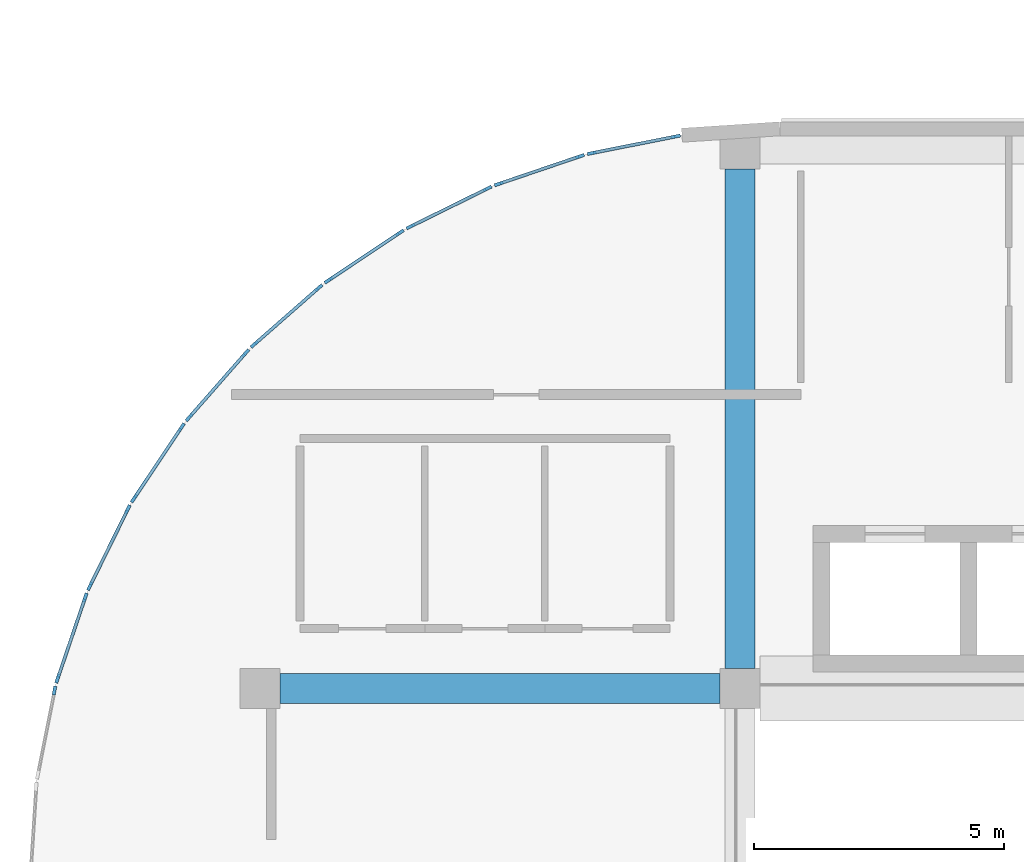
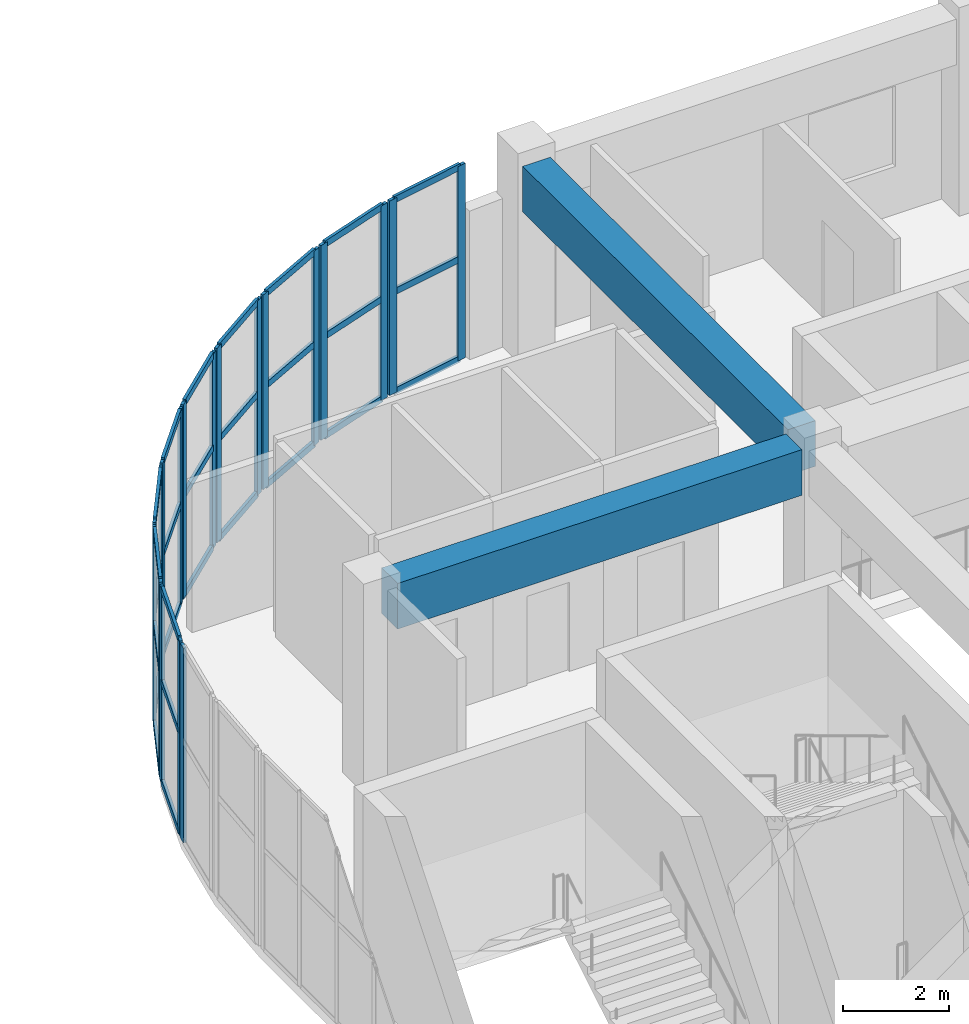
# One storey, part 9 of 33: 46 members, 2 beams, 10 elements without a shape of their own.
"""IFC4 building model written with IfcOpenShell, lengths in metres."""

from ifc_helpers import new_model, si_unit, direction, frame, origin, origin_2d, place, context, subcontext, project, spatial, rectangle, extrude, material, layer, layer_set, material_profile, profile_set, type_object, element, aggregate, save


model = new_model("IFC4")

# Units and contexts
model_context = context("Model", 3, precision=1e-05, world=origin(), true_north=direction((0.0, 1.0)))
body_context = subcontext(model_context, "Body", "Model", "MODEL_VIEW")
ifc_project = project(units=[si_unit("LENGTHUNIT", "METRE"), si_unit("AREAUNIT", "SQUARE_METRE"), si_unit("VOLUMEUNIT", "CUBIC_METRE"), si_unit("PLANEANGLEUNIT", "RADIAN"), si_unit("MASSUNIT", "GRAM", prefix="KILO")], contexts=[model_context])

# Site, building, storey
site_placement = place(None, origin())
site = spatial("IfcSite", under=ifc_project, at=site_placement, CompositionType="ELEMENT")
building_placement = place(site_placement, origin())
building = spatial("IfcBuilding", under=site, at=building_placement, Name="Cendralis Terraced Arcade", CompositionType="ELEMENT")
storey_placement = place(building_placement, frame((0.0, 0.0, 19.800048828125)))
storey = spatial("IfcBuildingStorey", under=building, at=storey_placement, Name="L04", CompositionType="ELEMENT", Elevation=19.800048828125)

# Beams
ifc_material_1 = material(Name="Concrete f'c 35 MPa", Category="concrete")
ifc_material_profile_1 = material_profile(ifc_material_1, rectangle(XDim=0.60009765625, YDim=1.050048828125, at=origin_2d()), Name="RC-BM-600x1050", Category="LoadBearing")
ifc_profile_set_1 = profile_set([ifc_material_profile_1], Name="Concrete f'c 35 MPa")
beam_type = type_object("IfcBeamType", Name="BM-600x1050", PredefinedType="JOIST", material=ifc_profile_set_1)
beam_1_placement = place(storey_placement, frame((10.0, 38.39990234375, 3.954833984375), z_axis=(1.0, 0.0, 0.0), x_axis=(0.0, 1.0, 0.0)))
element("IfcBeam", 1, at=beam_1_placement, inside=storey, type_object=beam_type, Name="Reinforced Concrete Frame Beam BM-X-L05-E-2_3", PredefinedType="JOIST", context=body_context, shape_type="SweptSolid", body=[
    extrude(rectangle(XDim=0.60009765625, YDim=1.050048828125, at=origin_2d()), origin(), (0.0, 0.0, 1.0), 8.800048828125),
])
beam_2_placement = place(storey_placement, frame((19.199951171875, 38.800048828125, 3.954833984375), z_axis=(0.0, 1.0, 0.0), x_axis=(-1.0, 0.0, 0.0)))
element("IfcBeam", 2, at=beam_2_placement, inside=storey, type_object=beam_type, Name="Reinforced Concrete Frame Beam BM-Y-L05-3-E_F", PredefinedType="JOIST", context=body_context, shape_type="SweptSolid", body=[
    extrude(rectangle(XDim=0.60009765625, YDim=1.050048828125, at=origin_2d()), origin(), (0.0, 0.0, 1.0), 10.0),
])

# Curtain wall, member
ifc_material_2 = material(Name="Anodised aluminium EN AW-6063 T6", Category="aluminium")
ifc_layer = layer(ifc_material_2, 0.179931640625, Name="CW-UNIT-A")
ifc_layer_set = layer_set([ifc_layer], Name="Anodised aluminium EN AW-6063 T6")
curtain_wall_type = type_object("IfcCurtainWallType", Name="CW-UNIT-A", PredefinedType="USERDEFINED", material=ifc_layer_set)
curtain_wall_1_placement = place(storey_placement, origin())
curtain_wall_1 = element("IfcCurtainWall", 3, at=curtain_wall_1_placement, inside=storey, type_object=curtain_wall_type, Name="Exterior Unitised Facade CW-L04-0338", ObjectType="UNITISED FACADE", PredefinedType="USERDEFINED")
ifc_material_profile_2 = material_profile(ifc_material_2, rectangle(XDim=0.06494140625, YDim=0.179931640625, at=origin_2d()), Name="ALU-MUL-65x180")
ifc_profile_set_2 = profile_set([ifc_material_profile_2], Name="Anodised aluminium EN AW-6063 T6")
member_type_1 = type_object("IfcMemberType", Name="CW-UNIT-A-MUL", PredefinedType="MULLION", material=ifc_profile_set_2)
member_1_placement = place(storey_placement, frame((5.487060546875, 38.362060546875, 0.0), z_axis=(0.0, 0.0, 1.0), x_axis=(-0.980791618721, 0.195058454434, 0.0)))
member_1 = element("IfcMember", 4, at=member_1_placement, type_object=member_type_1, Name="CW-U1 mullion 2", PredefinedType="MULLION", context=body_context, shape_type="SweptSolid", body=[
    extrude(rectangle(XDim=0.06494140625, YDim=0.179931640625, at=origin_2d()), origin(), (0.0, 0.0, 1.0), 4.47998046875),
])
aggregate(curtain_wall_1, [member_1])

# Curtain wall, members
curtain_wall_2_placement = place(storey_placement, origin())
curtain_wall_2 = element("IfcCurtainWall", 5, at=curtain_wall_2_placement, inside=storey, type_object=curtain_wall_type, Name="Exterior Unitised Facade CW-L04-0339", ObjectType="UNITISED FACADE", PredefinedType="USERDEFINED")
member_2_placement = place(storey_placement, frame((5.550537109375, 38.598388671875, 0.0), z_axis=(0.0, 0.0, 1.0), x_axis=(-0.946923811316, 0.321458077458, 0.0)))
member_2 = element("IfcMember", 6, at=member_2_placement, type_object=member_type_1, Name="CW-U1 mullion 1", PredefinedType="MULLION", context=body_context, shape_type="SweptSolid", body=[
    extrude(rectangle(XDim=0.06494140625, YDim=0.179931640625, at=origin_2d()), origin(), (0.0, 0.0, 1.0), 4.47998046875),
])
member_3_placement = place(storey_placement, frame((6.1025390625, 40.224365234375, 0.0), z_axis=(0.0, 0.0, 1.0), x_axis=(-0.946923811316, 0.321458077458, 0.0)))
member_3 = element("IfcMember", 7, at=member_3_placement, type_object=member_type_1, Name="CW-U1 mullion 2", PredefinedType="MULLION", context=body_context, shape_type="SweptSolid", body=[
    extrude(rectangle(XDim=0.06494140625, YDim=0.179931640625, at=origin_2d()), origin(), (0.0, 0.0, 1.0), 4.47998046875),
])

curtain_wall_3_placement = place(storey_placement, origin())
curtain_wall_3 = element("IfcCurtainWall", 8, at=curtain_wall_3_placement, inside=storey, type_object=curtain_wall_type, Name="Exterior Unitised Facade CW-L04-0340", ObjectType="UNITISED FACADE", PredefinedType="USERDEFINED")
member_4_placement = place(storey_placement, frame((6.196044921875, 40.4501953125, 0.0), z_axis=(0.0, 0.0, 1.0), x_axis=(-0.896871480419, 0.442291247495, 0.0)))
member_4 = element("IfcMember", 9, at=member_4_placement, type_object=member_type_1, Name="CW-U1 mullion 1", PredefinedType="MULLION", context=body_context, shape_type="SweptSolid", body=[
    extrude(rectangle(XDim=0.06494140625, YDim=0.179931640625, at=origin_2d()), origin(), (0.0, 0.0, 1.0), 4.47998046875),
])
member_5_placement = place(storey_placement, frame((6.955322265625, 41.990234375, 0.0), z_axis=(0.0, 0.0, 1.0), x_axis=(-0.896871480419, 0.442291247495, 0.0)))
member_5 = element("IfcMember", 10, at=member_5_placement, type_object=member_type_1, Name="CW-U1 mullion 2", PredefinedType="MULLION", context=body_context, shape_type="SweptSolid", body=[
    extrude(rectangle(XDim=0.06494140625, YDim=0.179931640625, at=origin_2d()), origin(), (0.0, 0.0, 1.0), 4.47998046875),
])

curtain_wall_4_placement = place(storey_placement, origin())
curtain_wall_4 = element("IfcCurtainWall", 11, at=curtain_wall_4_placement, inside=storey, type_object=curtain_wall_type, Name="Exterior Unitised Facade CW-L04-0341", ObjectType="UNITISED FACADE", PredefinedType="USERDEFINED")
member_6_placement = place(storey_placement, frame((7.07763671875, 42.201904296875, 0.0), z_axis=(0.0, 0.0, 1.0), x_axis=(-0.831471454125, 0.555567476528, 0.0)))
member_6 = element("IfcMember", 12, at=member_6_placement, type_object=member_type_1, Name="CW-U1 mullion 1", PredefinedType="MULLION", context=body_context, shape_type="SweptSolid", body=[
    extrude(rectangle(XDim=0.06494140625, YDim=0.179931640625, at=origin_2d()), origin(), (0.0, 0.0, 1.0), 4.47998046875),
])
member_7_placement = place(storey_placement, frame((8.03173828125, 43.629638671875, 0.0), z_axis=(0.0, 0.0, 1.0), x_axis=(-0.831471454125, 0.555567476528, 0.0)))
member_7 = element("IfcMember", 13, at=member_7_placement, type_object=member_type_1, Name="CW-U1 mullion 2", PredefinedType="MULLION", context=body_context, shape_type="SweptSolid", body=[
    extrude(rectangle(XDim=0.06494140625, YDim=0.179931640625, at=origin_2d()), origin(), (0.0, 0.0, 1.0), 4.47998046875),
])

curtain_wall_5_placement = place(storey_placement, origin())
curtain_wall_5 = element("IfcCurtainWall", 14, at=curtain_wall_5_placement, inside=storey, type_object=curtain_wall_type, Name="Exterior Unitised Facade CW-L04-0342", ObjectType="UNITISED FACADE", PredefinedType="USERDEFINED")
member_8_placement = place(storey_placement, frame((8.180419921875, 43.823486328125, 0.0), z_axis=(0.0, 0.0, 1.0), x_axis=(-0.751804497477, 0.659386076266, 0.0)))
member_8 = element("IfcMember", 15, at=member_8_placement, type_object=member_type_1, Name="CW-U1 mullion 1", PredefinedType="MULLION", context=body_context, shape_type="SweptSolid", body=[
    extrude(rectangle(XDim=0.06494140625, YDim=0.179931640625, at=origin_2d()), origin(), (0.0, 0.0, 1.0), 4.47998046875),
])
member_9_placement = place(storey_placement, frame((9.312744140625, 45.114501953125, 0.0), z_axis=(0.0, 0.0, 1.0), x_axis=(-0.751804497477, 0.659386076266, 0.0)))
member_9 = element("IfcMember", 16, at=member_9_placement, type_object=member_type_1, Name="CW-U1 mullion 2", PredefinedType="MULLION", context=body_context, shape_type="SweptSolid", body=[
    extrude(rectangle(XDim=0.06494140625, YDim=0.179931640625, at=origin_2d()), origin(), (0.0, 0.0, 1.0), 4.47998046875),
])

curtain_wall_6_placement = place(storey_placement, origin())
curtain_wall_6 = element("IfcCurtainWall", 17, at=curtain_wall_6_placement, inside=storey, type_object=curtain_wall_type, Name="Exterior Unitised Facade CW-L04-0343", ObjectType="UNITISED FACADE", PredefinedType="USERDEFINED")
member_10_placement = place(storey_placement, frame((9.485595703125, 45.287353515625, 0.0), z_axis=(0.0, 0.0, 1.0), x_axis=(-0.659386076266, 0.751804497477, 0.0)))
member_10 = element("IfcMember", 18, at=member_10_placement, type_object=member_type_1, Name="CW-U1 mullion 1", PredefinedType="MULLION", context=body_context, shape_type="SweptSolid", body=[
    extrude(rectangle(XDim=0.06494140625, YDim=0.179931640625, at=origin_2d()), origin(), (0.0, 0.0, 1.0), 4.47998046875),
])
member_11_placement = place(storey_placement, frame((10.7763671875, 46.419677734375, 0.0), z_axis=(0.0, 0.0, 1.0), x_axis=(-0.659386076266, 0.751804497477, 0.0)))
member_11 = element("IfcMember", 19, at=member_11_placement, type_object=member_type_1, Name="CW-U1 mullion 2", PredefinedType="MULLION", context=body_context, shape_type="SweptSolid", body=[
    extrude(rectangle(XDim=0.06494140625, YDim=0.179931640625, at=origin_2d()), origin(), (0.0, 0.0, 1.0), 4.47998046875),
])

curtain_wall_7_placement = place(storey_placement, origin())
curtain_wall_7 = element("IfcCurtainWall", 20, at=curtain_wall_7_placement, inside=storey, type_object=curtain_wall_type, Name="Exterior Unitised Facade CW-L04-0344", ObjectType="UNITISED FACADE", PredefinedType="USERDEFINED")
member_12_placement = place(storey_placement, frame((10.970458984375, 46.568359375, 0.0), z_axis=(0.0, 0.0, 1.0), x_axis=(-0.555567476528, 0.831471454125, 0.0)))
member_12 = element("IfcMember", 21, at=member_12_placement, type_object=member_type_1, Name="CW-U1 mullion 1", PredefinedType="MULLION", context=body_context, shape_type="SweptSolid", body=[
    extrude(rectangle(XDim=0.06494140625, YDim=0.179931640625, at=origin_2d()), origin(), (0.0, 0.0, 1.0), 4.47998046875),
])
member_13_placement = place(storey_placement, frame((12.398193359375, 47.5224609375, 0.0), z_axis=(0.0, 0.0, 1.0), x_axis=(-0.555567476528, 0.831471454125, 0.0)))
member_13 = element("IfcMember", 22, at=member_13_placement, type_object=member_type_1, Name="CW-U1 mullion 2", PredefinedType="MULLION", context=body_context, shape_type="SweptSolid", body=[
    extrude(rectangle(XDim=0.06494140625, YDim=0.179931640625, at=origin_2d()), origin(), (0.0, 0.0, 1.0), 4.47998046875),
])

curtain_wall_8_placement = place(storey_placement, origin())
curtain_wall_8 = element("IfcCurtainWall", 23, at=curtain_wall_8_placement, inside=storey, type_object=curtain_wall_type, Name="Exterior Unitised Facade CW-L04-0345", ObjectType="UNITISED FACADE", PredefinedType="USERDEFINED")
member_14_placement = place(storey_placement, frame((12.60986328125, 47.64453125, 0.0), z_axis=(0.0, 0.0, 1.0), x_axis=(-0.442291247495, 0.896871480419, 0.0)))
member_14 = element("IfcMember", 24, at=member_14_placement, type_object=member_type_1, Name="CW-U1 mullion 1", PredefinedType="MULLION", context=body_context, shape_type="SweptSolid", body=[
    extrude(rectangle(XDim=0.06494140625, YDim=0.179931640625, at=origin_2d()), origin(), (0.0, 0.0, 1.0), 4.47998046875),
])
member_15_placement = place(storey_placement, frame((14.14990234375, 48.404052734375, 0.0), z_axis=(0.0, 0.0, 1.0), x_axis=(-0.442291247495, 0.896871480419, 0.0)))
member_15 = element("IfcMember", 25, at=member_15_placement, type_object=member_type_1, Name="CW-U1 mullion 2", PredefinedType="MULLION", context=body_context, shape_type="SweptSolid", body=[
    extrude(rectangle(XDim=0.06494140625, YDim=0.179931640625, at=origin_2d()), origin(), (0.0, 0.0, 1.0), 4.47998046875),
])

curtain_wall_9_placement = place(storey_placement, origin())
curtain_wall_9 = element("IfcCurtainWall", 26, at=curtain_wall_9_placement, inside=storey, type_object=curtain_wall_type, Name="Exterior Unitised Facade CW-L04-0346", ObjectType="UNITISED FACADE", PredefinedType="USERDEFINED")
member_16_placement = place(storey_placement, frame((14.375732421875, 48.49755859375, 0.0), z_axis=(0.0, 0.0, 1.0), x_axis=(-0.321458077458, 0.946923811316, 0.0)))
member_16 = element("IfcMember", 27, at=member_16_placement, type_object=member_type_1, Name="CW-U1 mullion 1", PredefinedType="MULLION", context=body_context, shape_type="SweptSolid", body=[
    extrude(rectangle(XDim=0.06494140625, YDim=0.179931640625, at=origin_2d()), origin(), (0.0, 0.0, 1.0), 4.47998046875),
])
member_17_placement = place(storey_placement, frame((16.001708984375, 49.049560546875, 0.0), z_axis=(0.0, 0.0, 1.0), x_axis=(-0.321458077458, 0.946923811316, 0.0)))
member_17 = element("IfcMember", 28, at=member_17_placement, type_object=member_type_1, Name="CW-U1 mullion 2", PredefinedType="MULLION", context=body_context, shape_type="SweptSolid", body=[
    extrude(rectangle(XDim=0.06494140625, YDim=0.179931640625, at=origin_2d()), origin(), (0.0, 0.0, 1.0), 4.47998046875),
])

curtain_wall_10_placement = place(storey_placement, origin())
curtain_wall_10 = element("IfcCurtainWall", 29, at=curtain_wall_10_placement, inside=storey, type_object=curtain_wall_type, Name="Exterior Unitised Facade CW-L04-0347", ObjectType="UNITISED FACADE", PredefinedType="USERDEFINED")
member_18_placement = place(storey_placement, frame((16.23779296875, 49.11279296875, 0.0), z_axis=(0.0, 0.0, 1.0), x_axis=(-0.195058454434, 0.980791618721, 0.0)))
member_18 = element("IfcMember", 30, at=member_18_placement, type_object=member_type_1, Name="CW-U1 mullion 1", PredefinedType="MULLION", context=body_context, shape_type="SweptSolid", body=[
    extrude(rectangle(XDim=0.06494140625, YDim=0.179931640625, at=origin_2d()), origin(), (0.0, 0.0, 1.0), 4.47998046875),
])
member_19_placement = place(storey_placement, frame((17.921875, 49.44775390625, 0.0), z_axis=(0.0, 0.0, 1.0), x_axis=(-0.195058454434, 0.980791618721, 0.0)))
member_19 = element("IfcMember", 31, at=member_19_placement, type_object=member_type_1, Name="CW-U1 mullion 2", PredefinedType="MULLION", context=body_context, shape_type="SweptSolid", body=[
    extrude(rectangle(XDim=0.06494140625, YDim=0.179931640625, at=origin_2d()), origin(), (0.0, 0.0, 1.0), 4.47998046875),
])

# Member
ifc_material_profile_3 = material_profile(ifc_material_2, rectangle(XDim=0.06494140625, YDim=0.14990234375, at=origin_2d()), Name="ALU-TRN-65x150")
ifc_profile_set_3 = profile_set([ifc_material_profile_3], Name="Anodised aluminium EN AW-6063 T6")
member_type_2 = type_object("IfcMemberType", Name="CW-UNIT-A-TRN", PredefinedType="USERDEFINED", material=ifc_profile_set_3)
member_20_placement = place(storey_placement, frame((5.560791015625, 38.629150390625, 0.032470703125), z_axis=(0.321542430228, 0.94689517137, 0.0), x_axis=(-0.94689517137, 0.321542430228, 0.0)))
member_20 = element("IfcMember", 32, at=member_20_placement, type_object=member_type_2, Name="CW-U1 transom 1.1", ObjectType="TRANSOM", PredefinedType="USERDEFINED", context=body_context, shape_type="SweptSolid", body=[
    extrude(rectangle(XDim=0.06494140625, YDim=0.14990234375, at=origin_2d()), origin(), (0.0, 0.0, 1.0), 1.652099609375),
])

member_21_placement = place(storey_placement, frame((5.560791015625, 38.629150390625, 2.32958984375), z_axis=(0.321542430228, 0.94689517137, 0.0), x_axis=(-0.94689517137, 0.321542430228, 0.0)))
member_21 = element("IfcMember", 33, at=member_21_placement, type_object=member_type_2, Name="CW-U1 transom 1.2", ObjectType="TRANSOM", PredefinedType="USERDEFINED", context=body_context, shape_type="SweptSolid", body=[
    extrude(rectangle(XDim=0.06494140625, YDim=0.14990234375, at=origin_2d()), origin(), (0.0, 0.0, 1.0), 1.652099609375),
])

member_22_placement = place(storey_placement, frame((5.560791015625, 38.629150390625, 4.447509765625), z_axis=(0.321542430228, 0.94689517137, 0.0), x_axis=(-0.94689517137, 0.321542430228, 0.0)))
member_22 = element("IfcMember", 34, at=member_22_placement, type_object=member_type_2, Name="CW-U1 transom 1.3", ObjectType="TRANSOM", PredefinedType="USERDEFINED", context=body_context, shape_type="SweptSolid", body=[
    extrude(rectangle(XDim=0.06494140625, YDim=0.14990234375, at=origin_2d()), origin(), (0.0, 0.0, 1.0), 1.652099609375),
])

aggregate(curtain_wall_2, [member_2, member_3, member_20, member_21, member_22])

member_23_placement = place(storey_placement, frame((6.21044921875, 40.479248046875, 0.032470703125), z_axis=(0.442300625853, 0.896866855431, 0.0), x_axis=(-0.896866855431, 0.442300625853, 0.0)))
member_23 = element("IfcMember", 35, at=member_23_placement, type_object=member_type_2, Name="CW-U1 transom 1.1", ObjectType="TRANSOM", PredefinedType="USERDEFINED", context=body_context, shape_type="SweptSolid", body=[
    extrude(rectangle(XDim=0.06494140625, YDim=0.14990234375, at=origin_2d()), origin(), (0.0, 0.0, 1.0), 1.652099609375),
])

member_24_placement = place(storey_placement, frame((6.21044921875, 40.479248046875, 2.32958984375), z_axis=(0.442300625853, 0.896866855431, 0.0), x_axis=(-0.896866855431, 0.442300625853, 0.0)))
member_24 = element("IfcMember", 36, at=member_24_placement, type_object=member_type_2, Name="CW-U1 transom 1.2", ObjectType="TRANSOM", PredefinedType="USERDEFINED", context=body_context, shape_type="SweptSolid", body=[
    extrude(rectangle(XDim=0.06494140625, YDim=0.14990234375, at=origin_2d()), origin(), (0.0, 0.0, 1.0), 1.652099609375),
])

member_25_placement = place(storey_placement, frame((6.21044921875, 40.479248046875, 4.447509765625), z_axis=(0.442300625853, 0.896866855431, 0.0), x_axis=(-0.896866855431, 0.442300625853, 0.0)))
member_25 = element("IfcMember", 37, at=member_25_placement, type_object=member_type_2, Name="CW-U1 transom 1.3", ObjectType="TRANSOM", PredefinedType="USERDEFINED", context=body_context, shape_type="SweptSolid", body=[
    extrude(rectangle(XDim=0.06494140625, YDim=0.14990234375, at=origin_2d()), origin(), (0.0, 0.0, 1.0), 1.652099609375),
])

aggregate(curtain_wall_3, [member_4, member_5, member_23, member_24, member_25])

member_26_placement = place(storey_placement, frame((7.095703125, 42.228759765625, 0.032470703125), z_axis=(0.555586455466, 0.831458772582, 0.0), x_axis=(-0.831458772582, 0.555586455466, 0.0)))
member_26 = element("IfcMember", 38, at=member_26_placement, type_object=member_type_2, Name="CW-U1 transom 1.1", ObjectType="TRANSOM", PredefinedType="USERDEFINED", context=body_context, shape_type="SweptSolid", body=[
    extrude(rectangle(XDim=0.06494140625, YDim=0.14990234375, at=origin_2d()), origin(), (0.0, 0.0, 1.0), 1.65234375),
])

member_27_placement = place(storey_placement, frame((7.095703125, 42.228759765625, 2.32958984375), z_axis=(0.555586455466, 0.831458772582, 0.0), x_axis=(-0.831458772582, 0.555586455466, 0.0)))
member_27 = element("IfcMember", 39, at=member_27_placement, type_object=member_type_2, Name="CW-U1 transom 1.2", ObjectType="TRANSOM", PredefinedType="USERDEFINED", context=body_context, shape_type="SweptSolid", body=[
    extrude(rectangle(XDim=0.06494140625, YDim=0.14990234375, at=origin_2d()), origin(), (0.0, 0.0, 1.0), 1.65234375),
])

member_28_placement = place(storey_placement, frame((7.095703125, 42.228759765625, 4.447509765625), z_axis=(0.555586455466, 0.831458772582, 0.0), x_axis=(-0.831458772582, 0.555586455466, 0.0)))
member_28 = element("IfcMember", 40, at=member_28_placement, type_object=member_type_2, Name="CW-U1 transom 1.3", ObjectType="TRANSOM", PredefinedType="USERDEFINED", context=body_context, shape_type="SweptSolid", body=[
    extrude(rectangle(XDim=0.06494140625, YDim=0.14990234375, at=origin_2d()), origin(), (0.0, 0.0, 1.0), 1.65234375),
])

aggregate(curtain_wall_4, [member_6, member_7, member_26, member_27, member_28])

member_29_placement = place(storey_placement, frame((8.201904296875, 43.847900390625, 0.032470703125), z_axis=(0.659341117172, 0.751843927425, 0.0), x_axis=(-0.751843927425, 0.659341117172, 0.0)))
member_29 = element("IfcMember", 41, at=member_29_placement, type_object=member_type_2, Name="CW-U1 transom 1.1", ObjectType="TRANSOM", PredefinedType="USERDEFINED", context=body_context, shape_type="SweptSolid", body=[
    extrude(rectangle(XDim=0.06494140625, YDim=0.14990234375, at=origin_2d()), origin(), (0.0, 0.0, 1.0), 1.652099609375),
])

member_30_placement = place(storey_placement, frame((8.201904296875, 43.847900390625, 2.32958984375), z_axis=(0.659341117172, 0.751843927425, 0.0), x_axis=(-0.751843927425, 0.659341117172, 0.0)))
member_30 = element("IfcMember", 42, at=member_30_placement, type_object=member_type_2, Name="CW-U1 transom 1.2", ObjectType="TRANSOM", PredefinedType="USERDEFINED", context=body_context, shape_type="SweptSolid", body=[
    extrude(rectangle(XDim=0.06494140625, YDim=0.14990234375, at=origin_2d()), origin(), (0.0, 0.0, 1.0), 1.652099609375),
])

member_31_placement = place(storey_placement, frame((8.201904296875, 43.847900390625, 4.447509765625), z_axis=(0.659341117172, 0.751843927425, 0.0), x_axis=(-0.751843927425, 0.659341117172, 0.0)))
member_31 = element("IfcMember", 43, at=member_31_placement, type_object=member_type_2, Name="CW-U1 transom 1.3", ObjectType="TRANSOM", PredefinedType="USERDEFINED", context=body_context, shape_type="SweptSolid", body=[
    extrude(rectangle(XDim=0.06494140625, YDim=0.14990234375, at=origin_2d()), origin(), (0.0, 0.0, 1.0), 1.652099609375),
])

aggregate(curtain_wall_5, [member_8, member_9, member_29, member_30, member_31])

member_32_placement = place(storey_placement, frame((9.510009765625, 45.308837890625, 0.032470703125), z_axis=(0.751779677402, 0.659414374006, 0.0), x_axis=(-0.659414374006, 0.751779677402, 0.0)))
member_32 = element("IfcMember", 44, at=member_32_placement, type_object=member_type_2, Name="CW-U1 transom 1.1", ObjectType="TRANSOM", PredefinedType="USERDEFINED", context=body_context, shape_type="SweptSolid", body=[
    extrude(rectangle(XDim=0.06494140625, YDim=0.14990234375, at=origin_2d()), origin(), (0.0, 0.0, 1.0), 1.652099609375),
])

member_33_placement = place(storey_placement, frame((9.510009765625, 45.308837890625, 2.32958984375), z_axis=(0.751779677402, 0.659414374006, 0.0), x_axis=(-0.659414374006, 0.751779677402, 0.0)))
member_33 = element("IfcMember", 45, at=member_33_placement, type_object=member_type_2, Name="CW-U1 transom 1.2", ObjectType="TRANSOM", PredefinedType="USERDEFINED", context=body_context, shape_type="SweptSolid", body=[
    extrude(rectangle(XDim=0.06494140625, YDim=0.14990234375, at=origin_2d()), origin(), (0.0, 0.0, 1.0), 1.652099609375),
])

member_34_placement = place(storey_placement, frame((9.510009765625, 45.308837890625, 4.447509765625), z_axis=(0.751779677402, 0.659414374006, 0.0), x_axis=(-0.659414374006, 0.751779677402, 0.0)))
member_34 = element("IfcMember", 46, at=member_34_placement, type_object=member_type_2, Name="CW-U1 transom 1.3", ObjectType="TRANSOM", PredefinedType="USERDEFINED", context=body_context, shape_type="SweptSolid", body=[
    extrude(rectangle(XDim=0.06494140625, YDim=0.14990234375, at=origin_2d()), origin(), (0.0, 0.0, 1.0), 1.652099609375),
])

aggregate(curtain_wall_6, [member_10, member_11, member_32, member_33, member_34])

member_35_placement = place(storey_placement, frame((10.99755859375, 46.58642578125, 0.032470703125), z_axis=(0.831413153436, 0.555654720391, 0.0), x_axis=(-0.555654720391, 0.831413153436, 0.0)))
member_35 = element("IfcMember", 47, at=member_35_placement, type_object=member_type_2, Name="CW-U1 transom 1.1", ObjectType="TRANSOM", PredefinedType="USERDEFINED", context=body_context, shape_type="SweptSolid", body=[
    extrude(rectangle(XDim=0.06494140625, YDim=0.14990234375, at=origin_2d()), origin(), (0.0, 0.0, 1.0), 1.652099609375),
])

member_36_placement = place(storey_placement, frame((10.99755859375, 46.58642578125, 2.32958984375), z_axis=(0.831413153436, 0.555654720391, 0.0), x_axis=(-0.555654720391, 0.831413153436, 0.0)))
member_36 = element("IfcMember", 48, at=member_36_placement, type_object=member_type_2, Name="CW-U1 transom 1.2", ObjectType="TRANSOM", PredefinedType="USERDEFINED", context=body_context, shape_type="SweptSolid", body=[
    extrude(rectangle(XDim=0.06494140625, YDim=0.14990234375, at=origin_2d()), origin(), (0.0, 0.0, 1.0), 1.652099609375),
])

member_37_placement = place(storey_placement, frame((10.99755859375, 46.58642578125, 4.447509765625), z_axis=(0.831413153436, 0.555654720391, 0.0), x_axis=(-0.555654720391, 0.831413153436, 0.0)))
member_37 = element("IfcMember", 49, at=member_37_placement, type_object=member_type_2, Name="CW-U1 transom 1.3", ObjectType="TRANSOM", PredefinedType="USERDEFINED", context=body_context, shape_type="SweptSolid", body=[
    extrude(rectangle(XDim=0.06494140625, YDim=0.14990234375, at=origin_2d()), origin(), (0.0, 0.0, 1.0), 1.652099609375),
])

aggregate(curtain_wall_7, [member_12, member_13, member_35, member_36, member_37])

member_38_placement = place(storey_placement, frame((12.638916015625, 47.658935546875, 0.032470703125), z_axis=(0.896866855431, 0.442300625853, 0.0), x_axis=(-0.442300625853, 0.896866855431, 0.0)))
member_38 = element("IfcMember", 50, at=member_38_placement, type_object=member_type_2, Name="CW-U1 transom 1.1", ObjectType="TRANSOM", PredefinedType="USERDEFINED", context=body_context, shape_type="SweptSolid", body=[
    extrude(rectangle(XDim=0.06494140625, YDim=0.14990234375, at=origin_2d()), origin(), (0.0, 0.0, 1.0), 1.652099609375),
])

member_39_placement = place(storey_placement, frame((12.638916015625, 47.658935546875, 2.32958984375), z_axis=(0.896866855431, 0.442300625853, 0.0), x_axis=(-0.442300625853, 0.896866855431, 0.0)))
member_39 = element("IfcMember", 51, at=member_39_placement, type_object=member_type_2, Name="CW-U1 transom 1.2", ObjectType="TRANSOM", PredefinedType="USERDEFINED", context=body_context, shape_type="SweptSolid", body=[
    extrude(rectangle(XDim=0.06494140625, YDim=0.14990234375, at=origin_2d()), origin(), (0.0, 0.0, 1.0), 1.652099609375),
])

member_40_placement = place(storey_placement, frame((12.638916015625, 47.658935546875, 4.447509765625), z_axis=(0.896866855431, 0.442300625853, 0.0), x_axis=(-0.442300625853, 0.896866855431, 0.0)))
member_40 = element("IfcMember", 52, at=member_40_placement, type_object=member_type_2, Name="CW-U1 transom 1.3", ObjectType="TRANSOM", PredefinedType="USERDEFINED", context=body_context, shape_type="SweptSolid", body=[
    extrude(rectangle(XDim=0.06494140625, YDim=0.14990234375, at=origin_2d()), origin(), (0.0, 0.0, 1.0), 1.652099609375),
])

aggregate(curtain_wall_8, [member_14, member_15, member_38, member_39, member_40])

member_41_placement = place(storey_placement, frame((14.406494140625, 48.508056640625, 0.032470703125), z_axis=(0.94694015461, 0.321409930755, 0.0), x_axis=(-0.321409930755, 0.94694015461, 0.0)))
member_41 = element("IfcMember", 53, at=member_41_placement, type_object=member_type_2, Name="CW-U1 transom 1.1", ObjectType="TRANSOM", PredefinedType="USERDEFINED", context=body_context, shape_type="SweptSolid", body=[
    extrude(rectangle(XDim=0.06494140625, YDim=0.14990234375, at=origin_2d()), origin(), (0.0, 0.0, 1.0), 1.652099609375),
])

member_42_placement = place(storey_placement, frame((14.406494140625, 48.508056640625, 2.32958984375), z_axis=(0.94694015461, 0.321409930755, 0.0), x_axis=(-0.321409930755, 0.94694015461, 0.0)))
member_42 = element("IfcMember", 54, at=member_42_placement, type_object=member_type_2, Name="CW-U1 transom 1.2", ObjectType="TRANSOM", PredefinedType="USERDEFINED", context=body_context, shape_type="SweptSolid", body=[
    extrude(rectangle(XDim=0.06494140625, YDim=0.14990234375, at=origin_2d()), origin(), (0.0, 0.0, 1.0), 1.652099609375),
])

member_43_placement = place(storey_placement, frame((14.406494140625, 48.508056640625, 4.447509765625), z_axis=(0.94694015461, 0.321409930755, 0.0), x_axis=(-0.321409930755, 0.94694015461, 0.0)))
member_43 = element("IfcMember", 55, at=member_43_placement, type_object=member_type_2, Name="CW-U1 transom 1.3", ObjectType="TRANSOM", PredefinedType="USERDEFINED", context=body_context, shape_type="SweptSolid", body=[
    extrude(rectangle(XDim=0.06494140625, YDim=0.14990234375, at=origin_2d()), origin(), (0.0, 0.0, 1.0), 1.652099609375),
])

aggregate(curtain_wall_9, [member_16, member_17, member_41, member_42, member_43])

member_44_placement = place(storey_placement, frame((16.269775390625, 49.119140625, 0.032470703125), z_axis=(0.980790408784, 0.195064538134, 0.0), x_axis=(-0.195064538134, 0.980790408784, 0.0)))
member_44 = element("IfcMember", 56, at=member_44_placement, type_object=member_type_2, Name="CW-U1 transom 1.1", ObjectType="TRANSOM", PredefinedType="USERDEFINED", context=body_context, shape_type="SweptSolid", body=[
    extrude(rectangle(XDim=0.06494140625, YDim=0.14990234375, at=origin_2d()), origin(), (0.0, 0.0, 1.0), 1.652099609375),
])

member_45_placement = place(storey_placement, frame((16.269775390625, 49.119140625, 2.32958984375), z_axis=(0.980790408784, 0.195064538134, 0.0), x_axis=(-0.195064538134, 0.980790408784, 0.0)))
member_45 = element("IfcMember", 57, at=member_45_placement, type_object=member_type_2, Name="CW-U1 transom 1.2", ObjectType="TRANSOM", PredefinedType="USERDEFINED", context=body_context, shape_type="SweptSolid", body=[
    extrude(rectangle(XDim=0.06494140625, YDim=0.14990234375, at=origin_2d()), origin(), (0.0, 0.0, 1.0), 1.652099609375),
])

member_46_placement = place(storey_placement, frame((16.269775390625, 49.119140625, 4.447509765625), z_axis=(0.980790408784, 0.195064538134, 0.0), x_axis=(-0.195064538134, 0.980790408784, 0.0)))
member_46 = element("IfcMember", 58, at=member_46_placement, type_object=member_type_2, Name="CW-U1 transom 1.3", ObjectType="TRANSOM", PredefinedType="USERDEFINED", context=body_context, shape_type="SweptSolid", body=[
    extrude(rectangle(XDim=0.06494140625, YDim=0.14990234375, at=origin_2d()), origin(), (0.0, 0.0, 1.0), 1.652099609375),
])

aggregate(curtain_wall_10, [member_18, member_19, member_44, member_45, member_46])

save(model, "model.ifc")
